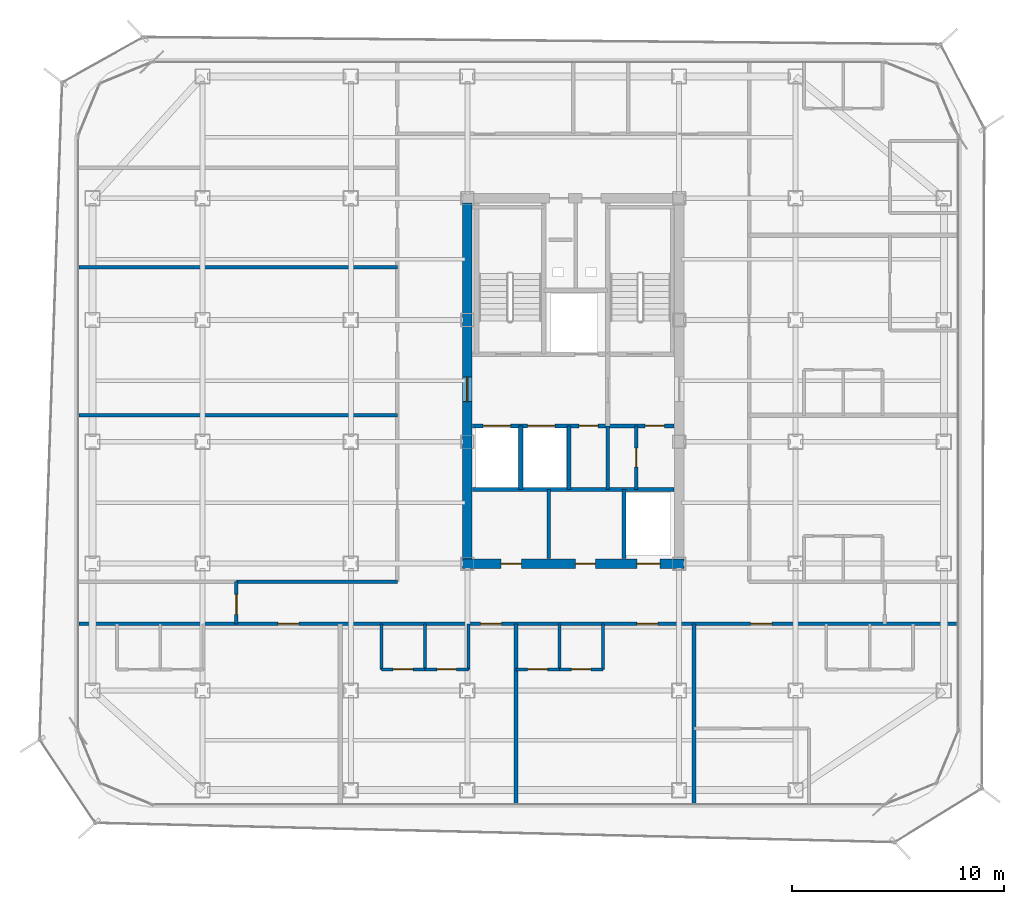
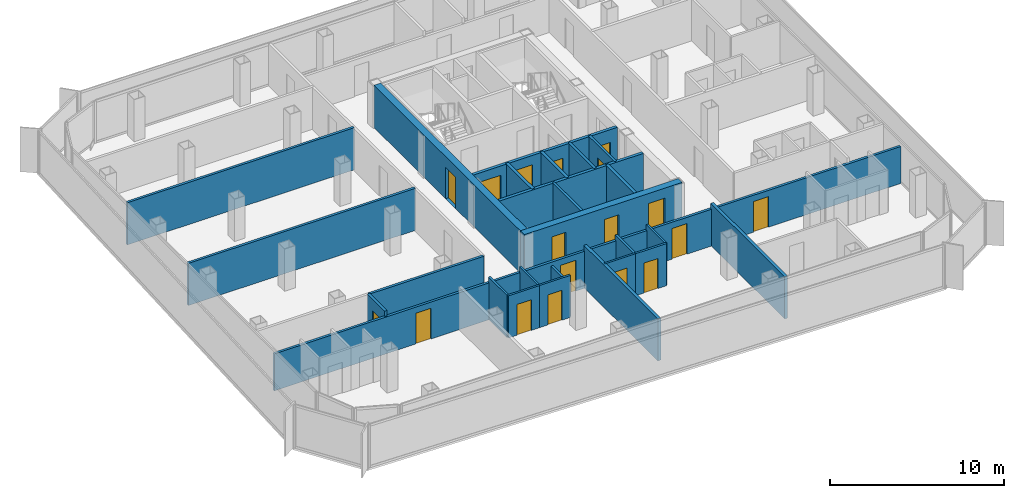
# One storey, part 10 of 15: 26 walls, 18 doors, 18 openings.
"""IFC4 building model written with IfcOpenShell, lengths in metres."""

from ifc_helpers import new_model, si_unit, direction, frame, frame_2d, origin, place, context, subcontext, project, spatial, rectangle, extrude, material, layer, layer_set, type_object, element, fill, save


model = new_model("IFC4")

# Units and contexts
model_context = context("Model", 3, precision=1e-05, world=origin(), true_north=direction((0.0, 1.0)))
body_context = subcontext(model_context, "Body", "Model", "MODEL_VIEW")
ifc_project = project(units=[si_unit("LENGTHUNIT", "METRE"), si_unit("AREAUNIT", "SQUARE_METRE"), si_unit("VOLUMEUNIT", "CUBIC_METRE"), si_unit("PLANEANGLEUNIT", "RADIAN"), si_unit("MASSUNIT", "GRAM", prefix="KILO")], contexts=[model_context])

# Site, building, storey
site_placement = place(None, origin())
site = spatial("IfcSite", under=ifc_project, at=site_placement, CompositionType="ELEMENT")
building_placement = place(site_placement, origin())
building = spatial("IfcBuilding", under=site, at=building_placement, Name="Kolveth Station Tower", CompositionType="ELEMENT")
storey_placement = place(building_placement, frame((0.0, 0.0, 165.699951171875)))
storey = spatial("IfcBuildingStorey", under=building, at=storey_placement, Name="L46", CompositionType="ELEMENT", Elevation=165.699951171875)

# Wall, openings, doors
ifc_material_1 = material(Name="Concrete C50/60", Category="concrete")
ifc_layer_1 = layer(ifc_material_1, 0.449951171875)
ifc_layer_set_1 = layer_set([ifc_layer_1], Name="Concrete C50/60")
wall_type_1 = type_object("IfcWallType", Name="Wall_CW-450", PredefinedType="SHEAR", material=ifc_layer_set_1)
wall_1_placement = place(storey_placement, frame((18.27490234375, 11.5, 0.0), z_axis=(0.0, 0.0, 1.0), x_axis=(1.0, 0.0, 0.0)))
wall_1 = element("IfcWall", 1, at=wall_1_placement, inside=storey, type_object=wall_type_1, Name="L46 Core RC Shear Wall S", PredefinedType="SHEAR", context=body_context, shape_type="SweptSolid", body=[
    extrude(rectangle(XDim=10.4501953125, YDim=0.449951171875, at=frame_2d((5.22509765625, 0.0))), origin(), (0.0, 0.0, 1.0), 2.949951171875),
])
opening_1_placement = place(wall_1_placement, frame((1.824951171875, 0.0, 0.0)))
opening_1 = element("IfcOpeningElement", 2, at=opening_1_placement, cuts=wall_1, Name="Opening ID1", PredefinedType="OPENING", context=body_context, shape_type="SweptSolid", body=[
    extrude(rectangle(XDim=0.949951171875, YDim=2.14990234375, at=frame_2d((0.47509765625, 1.074951171875))), frame((0.0, 0.23486328125, 0.0), z_axis=(0.0, -1.0, 0.0), x_axis=(1.0, 0.0, 0.0)), (0.0, 0.0, 1.0), 0.469970703125),
])
opening_2_placement = place(wall_1_placement, frame((5.324951171875, 0.0, 0.0)))
opening_2 = element("IfcOpeningElement", 3, at=opening_2_placement, cuts=wall_1, Name="Opening ID1", PredefinedType="OPENING", context=body_context, shape_type="SweptSolid", body=[
    extrude(rectangle(XDim=0.949951171875, YDim=2.14990234375, at=frame_2d((0.47509765625, 1.074951171875))), frame((0.0, 0.23486328125, 0.0), z_axis=(0.0, -1.0, 0.0), x_axis=(1.0, 0.0, 0.0)), (0.0, 0.0, 1.0), 0.469970703125),
])
opening_3_placement = place(wall_1_placement, frame((8.22509765625, 0.0, 0.0)))
opening_3 = element("IfcOpeningElement", 4, at=opening_3_placement, cuts=wall_1, Name="Opening LD1", PredefinedType="OPENING", context=body_context, shape_type="SweptSolid", body=[
    extrude(rectangle(XDim=1.10009765625, YDim=2.25, at=frame_2d((0.550048828125, 1.125))), frame((0.0, 0.23486328125, 0.0), z_axis=(0.0, -1.0, 0.0), x_axis=(1.0, 0.0, 0.0)), (0.0, 0.0, 1.0), 0.469970703125),
])
ifc_material_2 = material(Name="Acoustic hardwood leaf and aluminium frame", Category="wood")
door_type_1 = type_object("IfcDoorType", Name="Door_ID1", OperationType="NOTDEFINED", PredefinedType="DOOR", material=ifc_material_2)
door_1_placement = place(opening_1_placement, frame((0.949951171875, 0.0, 0.0), z_axis=(0.0, 0.0, 1.0), x_axis=(-1.0, 0.0, 0.0)))
door_1 = element("IfcDoor", 5, at=door_1_placement, inside=storey, type_object=door_type_1, Name="L46 Laundry Room Door", OperationType="SINGLE_SWING_RIGHT", OverallHeight=2.14990234375, OverallWidth=0.949951171875, PredefinedType="DOOR", context=body_context, shape_type="SweptSolid", body=[
    extrude(rectangle(XDim=0.949951171875, YDim=2.14990234375, at=frame_2d((0.47509765625, 1.074951171875))), frame((0.0, 0.02490234375, 0.0), z_axis=(0.0, -1.0, 0.0), x_axis=(1.0, 0.0, 0.0)), (0.0, 0.0, 1.0), 0.050048828125),
])
fill(opening_1, door_1)
door_2_placement = place(opening_2_placement, frame((0.949951171875, 0.0, 0.0), z_axis=(0.0, 0.0, 1.0), x_axis=(-1.0, 0.0, 0.0)))
door_2 = element("IfcDoor", 6, at=door_2_placement, inside=storey, type_object=door_type_1, Name="L46 Parcel Room Door", OperationType="SINGLE_SWING_LEFT", OverallHeight=2.14990234375, OverallWidth=0.949951171875, PredefinedType="DOOR", context=body_context, shape_type="SweptSolid", body=[
    extrude(rectangle(XDim=0.949951171875, YDim=2.14990234375, at=frame_2d((0.47509765625, 1.074951171875))), frame((0.0, 0.02490234375, 0.0), z_axis=(0.0, -1.0, 0.0), x_axis=(1.0, 0.0, 0.0)), (0.0, 0.0, 1.0), 0.050048828125),
])
fill(opening_2, door_2)
ifc_material_3 = material(Name="Brushed stainless steel sliding landing doors", Category="steel")
door_type_2 = type_object("IfcDoorType", Name="Door_LD1", OperationType="NOTDEFINED", PredefinedType="DOOR", material=ifc_material_3)
door_3_placement = place(opening_3_placement, frame((1.10009765625, 0.0, 0.0), z_axis=(0.0, 0.0, 1.0), x_axis=(-1.0, 0.0, 0.0)))
door_3 = element("IfcDoor", 7, at=door_3_placement, inside=storey, type_object=door_type_2, Name="L46 Lift PH1 Landing Door", OperationType="DOUBLE_DOOR_SLIDING", OverallHeight=2.25, OverallWidth=1.10009765625, PredefinedType="DOOR", context=body_context, shape_type="SweptSolid", body=[
    extrude(rectangle(XDim=1.10009765625, YDim=2.25, at=frame_2d((0.550048828125, 1.125))), frame((0.0, 0.02490234375, 0.0), z_axis=(0.0, -1.0, 0.0), x_axis=(1.0, 0.0, 0.0)), (0.0, 0.0, 1.0), 0.050048828125),
])
fill(opening_3, door_3)

# Wall, opening, door
wall_2_placement = place(storey_placement, frame((18.5, 11.72509765625, 0.0), z_axis=(0.0, 0.0, 1.0), x_axis=(0.0, 1.0, 0.0)))
wall_2 = element("IfcWall", 8, at=wall_2_placement, inside=storey, type_object=wall_type_1, Name="L46 Core RC Shear Wall W", PredefinedType="SHEAR", context=body_context, shape_type="SweptSolid", body=[
    extrude(rectangle(XDim=16.7998046875, YDim=0.449951171875, at=frame_2d((8.39990234375, 0.0))), origin(), (0.0, 0.0, 1.0), 2.949951171875),
])
opening_4_placement = place(wall_2_placement, frame((7.425048828125, 0.0, 0.0)))
opening_4 = element("IfcOpeningElement", 9, at=opening_4_placement, cuts=wall_2, Name="Opening FD1", PredefinedType="OPENING", context=body_context, shape_type="SweptSolid", body=[
    extrude(rectangle(XDim=1.14990234375, YDim=2.199951171875, at=frame_2d((0.574951171875, 1.10009765625))), frame((0.0, 0.23486328125, 0.0), z_axis=(0.0, -1.0, 0.0), x_axis=(1.0, 0.0, 0.0)), (0.0, 0.0, 1.0), 0.469970703125),
])
ifc_material_4 = material(Name="Fire-rated Steel S355 leaf and frame", Category="steel")
door_type_3 = type_object("IfcDoorType", Name="Door_FD1", OperationType="NOTDEFINED", PredefinedType="DOOR", material=ifc_material_4)
door_4_placement = place(opening_4_placement, frame((1.14990234375, 0.0, 0.0), z_axis=(0.0, 0.0, 1.0), x_axis=(-1.0, 0.0, 0.0)))
door_4 = element("IfcDoor", 10, at=door_4_placement, inside=storey, type_object=door_type_3, Name="L46 West Corridor to Firefighting Lobby Door", OperationType="SINGLE_SWING_RIGHT", OverallHeight=2.199951171875, OverallWidth=1.14990234375, PredefinedType="DOOR", context=body_context, shape_type="SweptSolid", body=[
    extrude(rectangle(XDim=1.14990234375, YDim=2.199951171875, at=frame_2d((0.574951171875, 1.10009765625))), frame((0.0, 0.02490234375, 0.0), z_axis=(0.0, -1.0, 0.0), x_axis=(1.0, 0.0, 0.0)), (0.0, 0.0, 1.0), 0.050048828125),
])
fill(opening_4, door_4)

ifc_material_5 = material(Name="Moisture-resistant gypsum partition")
ifc_layer_2 = layer(ifc_material_5, 0.135009765625)
ifc_layer_set_2 = layer_set([ifc_layer_2], Name="Moisture-resistant gypsum partition")
wall_type_2 = type_object("IfcWallType", Name="Wall_IW-135", PredefinedType="PARTITIONING", material=ifc_layer_set_2)
wall_3_placement = place(storey_placement, frame((14.449951171875, 6.5, 0.0), z_axis=(0.0, 0.0, 1.0), x_axis=(1.0, 0.0, 0.0)))
wall_3 = element("IfcWall", 11, at=wall_3_placement, inside=storey, type_object=wall_type_2, Name="L46 Partition Wall WL-L46-A2-IBHK", PredefinedType="PARTITIONING", context=body_context, shape_type="SweptSolid", body=[
    extrude(rectangle(XDim=2.050048828125, YDim=0.135009765625, at=frame_2d((1.02490234375, 0.0))), origin(), (0.0, 0.0, 1.0), 2.949951171875),
])
opening_5_placement = place(wall_3_placement, frame((0.544921875, 0.0, 0.0)))
opening_5 = element("IfcOpeningElement", 12, at=opening_5_placement, cuts=wall_3, Name="Opening ID1", PredefinedType="OPENING", context=body_context, shape_type="SweptSolid", body=[
    extrude(rectangle(XDim=0.949951171875, YDim=2.14990234375, at=frame_2d((0.47509765625, 1.074951171875))), frame((0.0, 0.077392578125, 0.0), z_axis=(0.0, -1.0, 0.0), x_axis=(1.0, 0.0, 0.0)), (0.0, 0.0, 1.0), 0.155029296875),
])
door_5_placement = place(opening_5_placement, origin())
door_5 = element("IfcDoor", 13, at=door_5_placement, inside=storey, type_object=door_type_1, Name="Flat L46-A2 Kitchen Door", OperationType="SINGLE_SWING_LEFT", OverallHeight=2.14990234375, OverallWidth=0.949951171875, PredefinedType="DOOR", context=body_context, shape_type="SweptSolid", body=[
    extrude(rectangle(XDim=0.949951171875, YDim=2.14990234375, at=frame_2d((0.47509765625, 1.074951171875))), frame((0.0, 0.02490234375, 0.0), z_axis=(0.0, -1.0, 0.0), x_axis=(1.0, 0.0, 0.0)), (0.0, 0.0, 1.0), 0.050048828125),
])
fill(opening_5, door_5)

wall_4_placement = place(storey_placement, frame((16.5, 6.5, 0.0), z_axis=(0.0, 0.0, 1.0), x_axis=(1.0, 0.0, 0.0)))
wall_4 = element("IfcWall", 14, at=wall_4_placement, inside=storey, type_object=wall_type_2, Name="L46 Partition Wall WL-L46-A2-IBHB", PredefinedType="PARTITIONING", context=body_context, shape_type="SweptSolid", body=[
    extrude(rectangle(XDim=2.050048828125, YDim=0.135009765625, at=frame_2d((1.02490234375, 0.0))), origin(), (0.0, 0.0, 1.0), 2.949951171875),
])
opening_6_placement = place(wall_4_placement, frame((0.56494140625, 0.0, 0.0)))
opening_6 = element("IfcOpeningElement", 15, at=opening_6_placement, cuts=wall_4, Name="Opening ID2", PredefinedType="OPENING", context=body_context, shape_type="SweptSolid", body=[
    extrude(rectangle(XDim=0.919921875, YDim=2.10009765625, at=frame_2d((0.4599609375, 1.050048828125))), frame((0.0, 0.077392578125, 0.0), z_axis=(0.0, -1.0, 0.0), x_axis=(1.0, 0.0, 0.0)), (0.0, 0.0, 1.0), 0.155029296875),
])
ifc_material_6 = material(Name="Moisture-resistant hardwood leaf", Category="wood")
door_type_4 = type_object("IfcDoorType", Name="Door_ID2", OperationType="NOTDEFINED", PredefinedType="DOOR", material=ifc_material_6)
door_6_placement = place(opening_6_placement, origin())
door_6 = element("IfcDoor", 16, at=door_6_placement, inside=storey, type_object=door_type_4, Name="Flat L46-A2 Bathroom Door", OperationType="SINGLE_SWING_RIGHT", OverallHeight=2.10009765625, OverallWidth=0.919921875, PredefinedType="DOOR", context=body_context, shape_type="SweptSolid", body=[
    extrude(rectangle(XDim=0.919921875, YDim=2.10009765625, at=frame_2d((0.4599609375, 1.050048828125))), frame((0.0, 0.02490234375, 0.0), z_axis=(0.0, -1.0, 0.0), x_axis=(1.0, 0.0, 0.0)), (0.0, 0.0, 1.0), 0.050048828125),
])
fill(opening_6, door_6)

# Walls
for number, where, z_axis, x_axis, name in (
    (17, (14.449951171875, 6.5, 0.0), (0.0, 0.0, 1.0), (0.0, 1.0, 0.0), "L46 Partition Wall WL-L46-A2-IBV0"),
    (18, (16.5, 6.5, 0.0), (0.0, 0.0, 1.0), (0.0, 1.0, 0.0), "L46 Partition Wall WL-L46-A2-IBV1"),
):
    element("IfcWall", number, at=place(storey_placement, frame(where, z_axis=z_axis, x_axis=x_axis)), inside=storey, type_object=wall_type_2, Name=name, PredefinedType="PARTITIONING", context=body_context, shape_type="SweptSolid", body=[
        extrude(rectangle(XDim=2.14990234375, YDim=0.135009765625, at=frame_2d((1.074951171875, 0.0))), origin(), (0.0, 0.0, 1.0), 2.949951171875),
    ])
wall_5_placement = place(storey_placement, frame((18.550048828125, 6.5, 0.0), z_axis=(0.0, 0.0, 1.0), x_axis=(0.0, 1.0, 0.0)))
element("IfcWall", 19, at=wall_5_placement, inside=storey, type_object=wall_type_2, Name="L46 Partition Wall WL-L46-A2-IBV2", PredefinedType="PARTITIONING", context=body_context, shape_type="SweptSolid", body=[
    extrude(rectangle(XDim=2.14990234375, YDim=0.135009765625, at=frame_2d((1.074951171875, 0.0))), origin(), (0.0, 0.0, 1.0), 2.322998046875),
])

# Wall, opening, door
wall_6_placement = place(storey_placement, frame((20.800048828125, 6.5, 0.0), z_axis=(0.0, 0.0, 1.0), x_axis=(1.0, 0.0, 0.0)))
wall_6 = element("IfcWall", 20, at=wall_6_placement, inside=storey, type_object=wall_type_2, Name="L46 Partition Wall WL-L46-A3-IBHK", PredefinedType="PARTITIONING", context=body_context, shape_type="SweptSolid", body=[
    extrude(rectangle(XDim=2.050048828125, YDim=0.135009765625, at=frame_2d((1.02490234375, 0.0))), origin(), (0.0, 0.0, 1.0), 2.949951171875),
])
opening_7_placement = place(wall_6_placement, frame((0.544921875, 0.0, 0.0)))
opening_7 = element("IfcOpeningElement", 21, at=opening_7_placement, cuts=wall_6, Name="Opening ID1", PredefinedType="OPENING", context=body_context, shape_type="SweptSolid", body=[
    extrude(rectangle(XDim=0.949951171875, YDim=2.14990234375, at=frame_2d((0.47509765625, 1.074951171875))), frame((0.0, 0.077392578125, 0.0), z_axis=(0.0, -1.0, 0.0), x_axis=(1.0, 0.0, 0.0)), (0.0, 0.0, 1.0), 0.155029296875),
])
door_7_placement = place(opening_7_placement, origin())
door_7 = element("IfcDoor", 22, at=door_7_placement, inside=storey, type_object=door_type_1, Name="Flat L46-A3 Kitchen Door", OperationType="SINGLE_SWING_LEFT", OverallHeight=2.14990234375, OverallWidth=0.949951171875, PredefinedType="DOOR", context=body_context, shape_type="SweptSolid", body=[
    extrude(rectangle(XDim=0.949951171875, YDim=2.14990234375, at=frame_2d((0.47509765625, 1.074951171875))), frame((0.0, 0.02490234375, 0.0), z_axis=(0.0, -1.0, 0.0), x_axis=(1.0, 0.0, 0.0)), (0.0, 0.0, 1.0), 0.050048828125),
])
fill(opening_7, door_7)

wall_7_placement = place(storey_placement, frame((22.85009765625, 6.5, 0.0), z_axis=(0.0, 0.0, 1.0), x_axis=(1.0, 0.0, 0.0)))
wall_7 = element("IfcWall", 23, at=wall_7_placement, inside=storey, type_object=wall_type_2, Name="L46 Partition Wall WL-L46-A3-IBHB", PredefinedType="PARTITIONING", context=body_context, shape_type="SweptSolid", body=[
    extrude(rectangle(XDim=2.0498046875, YDim=0.135009765625, at=frame_2d((1.02490234375, 0.0))), origin(), (0.0, 0.0, 1.0), 2.949951171875),
])
opening_8_placement = place(wall_7_placement, frame((0.56494140625, 0.0, 0.0)))
opening_8 = element("IfcOpeningElement", 24, at=opening_8_placement, cuts=wall_7, Name="Opening ID2", PredefinedType="OPENING", context=body_context, shape_type="SweptSolid", body=[
    extrude(rectangle(XDim=0.919921875, YDim=2.10009765625, at=frame_2d((0.4599609375, 1.050048828125))), frame((0.0, 0.077392578125, 0.0), z_axis=(0.0, -1.0, 0.0), x_axis=(1.0, 0.0, 0.0)), (0.0, 0.0, 1.0), 0.155029296875),
])
door_8_placement = place(opening_8_placement, origin())
door_8 = element("IfcDoor", 25, at=door_8_placement, inside=storey, type_object=door_type_4, Name="Flat L46-A3 Bathroom Door", OperationType="SINGLE_SWING_LEFT", OverallHeight=2.10009765625, OverallWidth=0.919921875, PredefinedType="DOOR", context=body_context, shape_type="SweptSolid", body=[
    extrude(rectangle(XDim=0.919921875, YDim=2.10009765625, at=frame_2d((0.4599609375, 1.050048828125))), frame((0.0, 0.02490234375, 0.0), z_axis=(0.0, -1.0, 0.0), x_axis=(1.0, 0.0, 0.0)), (0.0, 0.0, 1.0), 0.050048828125),
])
fill(opening_8, door_8)

# Walls
for number, where, z_axis, x_axis, name in (
    (26, (22.85009765625, 6.5, 0.0), (0.0, 0.0, 1.0), (0.0, 1.0, 0.0), "L46 Partition Wall WL-L46-A3-IBV1"),
    (27, (24.89990234375, 6.5, 0.0), (0.0, 0.0, 1.0), (0.0, 1.0, 0.0), "L46 Partition Wall WL-L46-A3-IBV2"),
):
    element("IfcWall", number, at=place(storey_placement, frame(where, z_axis=z_axis, x_axis=x_axis)), inside=storey, type_object=wall_type_2, Name=name, PredefinedType="PARTITIONING", context=body_context, shape_type="SweptSolid", body=[
        extrude(rectangle(XDim=2.14990234375, YDim=0.135009765625, at=frame_2d((1.074951171875, 0.0))), origin(), (0.0, 0.0, 1.0), 2.949951171875),
    ])
ifc_material_7 = material(Name="Acoustic double-stud gypsum partition")
ifc_layer_3 = layer(ifc_material_7, 0.1650390625)
ifc_layer_set_3 = layer_set([ifc_layer_3], Name="Acoustic double-stud gypsum partition")
wall_type_3 = type_object("IfcWallType", Name="Wall_IW-165", PredefinedType="PARTITIONING", material=ifc_layer_set_3)
wall_8_placement = place(storey_placement, frame((25.1298828125, 15.0, 0.0), z_axis=(0.0, 0.0, 1.0), x_axis=(0.0, 1.0, 0.0)))
element("IfcWall", 28, at=wall_8_placement, inside=storey, type_object=wall_type_3, Name="L46 Partition Wall WL-L46-CB-V3A", PredefinedType="PARTITIONING", context=body_context, shape_type="SweptSolid", body=[
    extrude(rectangle(XDim=3.0, YDim=0.1650390625, at=frame_2d((1.5, 0.0))), origin(), (0.0, 0.0, 1.0), 2.949951171875),
])

# Wall, opening, door
wall_9_placement = place(storey_placement, frame((26.47998046875, 15.0, 0.0), z_axis=(0.0, 0.0, 1.0), x_axis=(0.0, 1.0, 0.0)))
wall_9 = element("IfcWall", 29, at=wall_9_placement, inside=storey, type_object=wall_type_3, Name="L46 Partition Wall WL-L46-CB-V3B", PredefinedType="PARTITIONING", context=body_context, shape_type="SweptSolid", body=[
    extrude(rectangle(XDim=3.0, YDim=0.1650390625, at=frame_2d((1.5, 0.0))), origin(), (0.0, 0.0, 1.0), 2.949951171875),
])
opening_9_placement = place(wall_9_placement, frame((1.050048828125, 0.0, 0.0)))
opening_9 = element("IfcOpeningElement", 30, at=opening_9_placement, cuts=wall_9, Name="Opening RD1", PredefinedType="OPENING", context=body_context, shape_type="SweptSolid", body=[
    extrude(rectangle(XDim=0.89990234375, YDim=2.050048828125, at=frame_2d((0.449951171875, 1.02490234375))), frame((0.0, 0.092529296875, 0.0), z_axis=(0.0, -1.0, 0.0), x_axis=(1.0, 0.0, 0.0)), (0.0, 0.0, 1.0), 0.18505859375),
])
ifc_material_8 = material(Name="Fire-rated Steel S355 riser access leaf", Category="steel")
door_type_5 = type_object("IfcDoorType", Name="Door_RD1", OperationType="NOTDEFINED", PredefinedType="DOOR", material=ifc_material_8)
door_9_placement = place(opening_9_placement, origin())
door_9 = element("IfcDoor", 31, at=door_9_placement, inside=storey, type_object=door_type_5, Name="L46 Core Meter Closet Door", OperationType="SINGLE_SWING_RIGHT", OverallHeight=2.050048828125, OverallWidth=0.89990234375, PredefinedType="DOOR", context=body_context, shape_type="SweptSolid", body=[
    extrude(rectangle(XDim=0.89990234375, YDim=2.050048828125, at=frame_2d((0.449951171875, 1.02490234375))), frame((0.0, 0.02490234375, 0.0), z_axis=(0.0, -1.0, 0.0), x_axis=(1.0, 0.0, 0.0)), (0.0, 0.0, 1.0), 0.050048828125),
])
fill(opening_9, door_9)

# Wall
wall_10_placement = place(storey_placement, frame((22.35009765625, 11.735107421875, 0.0), z_axis=(0.0, 0.0, 1.0), x_axis=(0.0, 1.0, 0.0)))
element("IfcWall", 32, at=wall_10_placement, inside=storey, type_object=wall_type_3, Name="L46 Partition Wall WL-L46-FR-M", PredefinedType="PARTITIONING", context=body_context, shape_type="SweptSolid", body=[
    extrude(rectangle(XDim=3.264892578125, YDim=0.1650390625, at=frame_2d((1.63232421875, 0.0))), origin(), (0.0, 0.0, 1.0), 2.949951171875),
])

# Wall, openings, doors
wall_11_placement = place(storey_placement, frame((0.159912109375, 8.64990234375, 0.0), z_axis=(0.0, 0.0, 1.0), x_axis=(1.0, 0.0, 0.0)))
wall_11 = element("IfcWall", 33, at=wall_11_placement, inside=storey, type_object=wall_type_3, Name="L46 Partition Wall WL-L46-RS", PredefinedType="PARTITIONING", context=body_context, shape_type="SweptSolid", body=[
    extrude(rectangle(XDim=41.47998046875, YDim=0.1650390625, at=frame_2d((20.739990234375, 0.0))), origin(), (0.0, 0.0, 1.0), 2.5830078125),
])
opening_10_placement = place(wall_11_placement, frame((9.389892578125, 0.0, 0.0)))
opening_10 = element("IfcOpeningElement", 34, at=opening_10_placement, cuts=wall_11, Name="Opening FD3", PredefinedType="OPENING", context=body_context, shape_type="SweptSolid", body=[
    extrude(rectangle(XDim=1.0, YDim=2.14990234375, at=frame_2d((0.5, 1.074951171875))), frame((0.0, 0.092529296875, 0.0), z_axis=(0.0, -1.0, 0.0), x_axis=(1.0, 0.0, 0.0)), (0.0, 0.0, 1.0), 0.18505859375),
])
opening_11_placement = place(wall_11_placement, frame((18.965087890625, 0.0, 0.0)))
opening_11 = element("IfcOpeningElement", 35, at=opening_11_placement, cuts=wall_11, Name="Opening FD3", PredefinedType="OPENING", context=body_context, shape_type="SweptSolid", body=[
    extrude(rectangle(XDim=1.0, YDim=2.14990234375, at=frame_2d((0.5, 1.074951171875))), frame((0.0, 0.092529296875, 0.0), z_axis=(0.0, -1.0, 0.0), x_axis=(1.0, 0.0, 0.0)), (0.0, 0.0, 1.0), 0.18505859375),
])
opening_12_placement = place(wall_11_placement, frame((26.340087890625, 0.0, 0.0)))
opening_12 = element("IfcOpeningElement", 36, at=opening_12_placement, cuts=wall_11, Name="Opening FD3", PredefinedType="OPENING", context=body_context, shape_type="SweptSolid", body=[
    extrude(rectangle(XDim=1.0, YDim=2.14990234375, at=frame_2d((0.5, 1.074951171875))), frame((0.0, 0.092529296875, 0.0), z_axis=(0.0, -1.0, 0.0), x_axis=(1.0, 0.0, 0.0)), (0.0, 0.0, 1.0), 0.18505859375),
])
opening_13_placement = place(wall_11_placement, frame((31.715087890625, 0.0, 0.0)))
opening_13 = element("IfcOpeningElement", 37, at=opening_13_placement, cuts=wall_11, Name="Opening FD3", PredefinedType="OPENING", context=body_context, shape_type="SweptSolid", body=[
    extrude(rectangle(XDim=1.0, YDim=2.14990234375, at=frame_2d((0.5, 1.074951171875))), frame((0.0, 0.092529296875, 0.0), z_axis=(0.0, -1.0, 0.0), x_axis=(1.0, 0.0, 0.0)), (0.0, 0.0, 1.0), 0.18505859375),
])
ifc_material_9 = material(Name="Fire-rated hardwood leaf and aluminium frame", Category="wood")
door_type_6 = type_object("IfcDoorType", Name="Door_FD3", OperationType="NOTDEFINED", PredefinedType="DOOR", material=ifc_material_9)
door_10_placement = place(opening_10_placement, frame((1.0, 0.0, 0.0), z_axis=(0.0, 0.0, 1.0), x_axis=(-1.0, 0.0, 0.0)))
door_10 = element("IfcDoor", 38, at=door_10_placement, inside=storey, type_object=door_type_6, Name="Penthouse Flat L46-A1 Entrance Door", OperationType="SINGLE_SWING_RIGHT", OverallHeight=2.14990234375, OverallWidth=1.0, PredefinedType="DOOR", context=body_context, shape_type="SweptSolid", body=[
    extrude(rectangle(XDim=1.0, YDim=2.14990234375, at=frame_2d((0.5, 1.074951171875))), frame((0.0, 0.02490234375, 0.0), z_axis=(0.0, -1.0, 0.0), x_axis=(1.0, 0.0, 0.0)), (0.0, 0.0, 1.0), 0.050048828125),
])
fill(opening_10, door_10)
door_11_placement = place(opening_11_placement, frame((1.0, 0.0, 0.0), z_axis=(0.0, 0.0, 1.0), x_axis=(-1.0, 0.0, 0.0)))
door_11 = element("IfcDoor", 39, at=door_11_placement, inside=storey, type_object=door_type_6, Name="Flat L46-A2 Entrance Door", OperationType="SINGLE_SWING_LEFT", OverallHeight=2.14990234375, OverallWidth=1.0, PredefinedType="DOOR", context=body_context, shape_type="SweptSolid", body=[
    extrude(rectangle(XDim=1.0, YDim=2.14990234375, at=frame_2d((0.5, 1.074951171875))), frame((0.0, 0.02490234375, 0.0), z_axis=(0.0, -1.0, 0.0), x_axis=(1.0, 0.0, 0.0)), (0.0, 0.0, 1.0), 0.050048828125),
])
fill(opening_11, door_11)
door_12_placement = place(opening_12_placement, frame((1.0, 0.0, 0.0), z_axis=(0.0, 0.0, 1.0), x_axis=(-1.0, 0.0, 0.0)))
door_12 = element("IfcDoor", 40, at=door_12_placement, inside=storey, type_object=door_type_6, Name="Flat L46-A3 Entrance Door", OperationType="SINGLE_SWING_RIGHT", OverallHeight=2.14990234375, OverallWidth=1.0, PredefinedType="DOOR", context=body_context, shape_type="SweptSolid", body=[
    extrude(rectangle(XDim=1.0, YDim=2.14990234375, at=frame_2d((0.5, 1.074951171875))), frame((0.0, 0.02490234375, 0.0), z_axis=(0.0, -1.0, 0.0), x_axis=(1.0, 0.0, 0.0)), (0.0, 0.0, 1.0), 0.050048828125),
])
fill(opening_12, door_12)
door_13_placement = place(opening_13_placement, frame((1.0, 0.0, 0.0), z_axis=(0.0, 0.0, 1.0), x_axis=(-1.0, 0.0, 0.0)))
door_13 = element("IfcDoor", 41, at=door_13_placement, inside=storey, type_object=door_type_6, Name="Penthouse Flat L46-A4 Entrance Door", OperationType="SINGLE_SWING_RIGHT", OverallHeight=2.14990234375, OverallWidth=1.0, PredefinedType="DOOR", context=body_context, shape_type="SweptSolid", body=[
    extrude(rectangle(XDim=1.0, YDim=2.14990234375, at=frame_2d((0.5, 1.074951171875))), frame((0.0, 0.02490234375, 0.0), z_axis=(0.0, -1.0, 0.0), x_axis=(1.0, 0.0, 0.0)), (0.0, 0.0, 1.0), 0.050048828125),
])
fill(opening_13, door_13)

# Wall
wall_12_placement = place(storey_placement, frame((7.60009765625, 10.64990234375, 0.0), z_axis=(0.0, 0.0, 1.0), x_axis=(1.0, 0.0, 0.0)))
element("IfcWall", 42, at=wall_12_placement, inside=storey, type_object=wall_type_3, Name="L46 Partition Wall WL-L46-RSWT", PredefinedType="PARTITIONING", context=body_context, shape_type="SweptSolid", body=[
    extrude(rectangle(XDim=7.599853515625, YDim=0.1650390625, at=frame_2d((3.7998046875, 0.0))), origin(), (0.0, 0.0, 1.0), 2.949951171875),
])

# Wall, opening, door
wall_13_placement = place(storey_placement, frame((7.60009765625, 8.64990234375, 0.0), z_axis=(0.0, 0.0, 1.0), x_axis=(0.0, 1.0, 0.0)))
wall_13 = element("IfcWall", 43, at=wall_13_placement, inside=storey, type_object=wall_type_3, Name="L46 Partition Wall WL-L46-RSWE", PredefinedType="PARTITIONING", context=body_context, shape_type="SweptSolid", body=[
    extrude(rectangle(XDim=2.0, YDim=0.1650390625, at=frame_2d((1.0, 0.0))), origin(), (0.0, 0.0, 1.0), 2.949951171875),
])
opening_14_placement = place(wall_13_placement, frame((0.449951171875, 0.0, 0.0)))
opening_14 = element("IfcOpeningElement", 44, at=opening_14_placement, cuts=wall_13, Name="Opening ID1", PredefinedType="OPENING", context=body_context, shape_type="SweptSolid", body=[
    extrude(rectangle(XDim=0.949951171875, YDim=2.14990234375, at=frame_2d((0.47509765625, 1.074951171875))), frame((0.0, 0.092529296875, 0.0), z_axis=(0.0, -1.0, 0.0), x_axis=(1.0, 0.0, 0.0)), (0.0, 0.0, 1.0), 0.18505859375),
])
door_14_placement = place(opening_14_placement, frame((0.949951171875, 0.0, 0.0), z_axis=(0.0, 0.0, 1.0), x_axis=(-1.0, 0.0, 0.0)))
door_14 = element("IfcDoor", 45, at=door_14_placement, inside=storey, type_object=door_type_1, Name="L46 West Store Door", OperationType="SINGLE_SWING_LEFT", OverallHeight=2.14990234375, OverallWidth=0.949951171875, PredefinedType="DOOR", context=body_context, shape_type="SweptSolid", body=[
    extrude(rectangle(XDim=0.949951171875, YDim=2.14990234375, at=frame_2d((0.47509765625, 1.074951171875))), frame((0.0, 0.02490234375, 0.0), z_axis=(0.0, -1.0, 0.0), x_axis=(1.0, 0.0, 0.0)), (0.0, 0.0, 1.0), 0.050048828125),
])
fill(opening_14, door_14)

# Walls
for number, where, z_axis, x_axis, name in (
    (46, (0.159912109375, 18.5, 0.0), (0.0, 0.0, 1.0), (1.0, 0.0, 0.0), "L46 Partition Wall WL-L46-RWA-P1"),
    (47, (0.159912109375, 25.5, 0.0), (0.0, 0.0, 1.0), (1.0, 0.0, 0.0), "L46 Partition Wall WL-L46-RWA-P2"),
):
    element("IfcWall", number, at=place(storey_placement, frame(where, z_axis=z_axis, x_axis=x_axis)), inside=storey, type_object=wall_type_3, Name=name, PredefinedType="PARTITIONING", context=body_context, shape_type="SweptSolid", body=[
        extrude(rectangle(XDim=15.0400390625, YDim=0.1650390625, at=frame_2d((7.52001953125, 0.0))), origin(), (0.0, 0.0, 1.0), 2.949951171875),
    ])

# Wall, openings, doors
ifc_material_10 = material(Name="Acoustic fire-rated gypsum blockwork", Category="masonry")
ifc_layer_4 = layer(ifc_material_10, 0.199951171875)
ifc_layer_set_4 = layer_set([ifc_layer_4], Name="Acoustic fire-rated gypsum blockwork")
wall_type_4 = type_object("IfcWallType", Name="Wall_IW-200", PredefinedType="PARTITIONING", material=ifc_layer_set_4)
wall_14_placement = place(storey_placement, frame((18.735107421875, 18.0, 0.0), z_axis=(0.0, 0.0, 1.0), x_axis=(1.0, 0.0, 0.0)))
wall_14 = element("IfcWall", 48, at=wall_14_placement, inside=storey, type_object=wall_type_4, Name="L46 Partition Wall WL-L46-FFL-S", PredefinedType="PARTITIONING", context=body_context, shape_type="SweptSolid", body=[
    extrude(rectangle(XDim=9.52978515625, YDim=0.199951171875, at=frame_2d((4.764892578125, 0.0))), origin(), (0.0, 0.0, 1.0), 2.949951171875),
])
opening_15_placement = place(wall_14_placement, frame((0.514892578125, 0.0, 0.0)))
opening_15 = element("IfcOpeningElement", 49, at=opening_15_placement, cuts=wall_14, Name="Opening LD2", PredefinedType="OPENING", context=body_context, shape_type="SweptSolid", body=[
    extrude(rectangle(XDim=1.300048828125, YDim=2.300048828125, at=frame_2d((0.64990234375, 1.14990234375))), frame((0.0, 0.10986328125, 0.0), z_axis=(0.0, -1.0, 0.0), x_axis=(1.0, 0.0, 0.0)), (0.0, 0.0, 1.0), 0.219970703125),
])
opening_16_placement = place(wall_14_placement, frame((2.614990234375, 0.0, 0.0)))
opening_16 = element("IfcOpeningElement", 50, at=opening_16_placement, cuts=wall_14, Name="Opening LD2", PredefinedType="OPENING", context=body_context, shape_type="SweptSolid", body=[
    extrude(rectangle(XDim=1.300048828125, YDim=2.300048828125, at=frame_2d((0.64990234375, 1.14990234375))), frame((0.0, 0.10986328125, 0.0), z_axis=(0.0, -1.0, 0.0), x_axis=(1.0, 0.0, 0.0)), (0.0, 0.0, 1.0), 0.219970703125),
])
opening_17_placement = place(wall_14_placement, frame((5.034912109375, 0.0, 0.0)))
opening_17 = element("IfcOpeningElement", 51, at=opening_17_placement, cuts=wall_14, Name="Opening RD1", PredefinedType="OPENING", context=body_context, shape_type="SweptSolid", body=[
    extrude(rectangle(XDim=0.89990234375, YDim=2.050048828125, at=frame_2d((0.449951171875, 1.02490234375))), frame((0.0, 0.10986328125, 0.0), z_axis=(0.0, -1.0, 0.0), x_axis=(1.0, 0.0, 0.0)), (0.0, 0.0, 1.0), 0.219970703125),
])
opening_18_placement = place(wall_14_placement, frame((8.1650390625, 0.0, 0.0)))
opening_18 = element("IfcOpeningElement", 52, at=opening_18_placement, cuts=wall_14, Name="Opening RD1", PredefinedType="OPENING", context=body_context, shape_type="SweptSolid", body=[
    extrude(rectangle(XDim=0.89990234375, YDim=2.050048828125, at=frame_2d((0.449951171875, 1.02490234375))), frame((0.0, 0.10986328125, 0.0), z_axis=(0.0, -1.0, 0.0), x_axis=(1.0, 0.0, 0.0)), (0.0, 0.0, 1.0), 0.219970703125),
])
ifc_material_11 = material(Name="Firefighting stainless steel sliding landing doors", Category="steel")
door_type_7 = type_object("IfcDoorType", Name="Door_LD2", OperationType="NOTDEFINED", PredefinedType="DOOR", material=ifc_material_11)
door_15_placement = place(opening_15_placement, origin())
door_15 = element("IfcDoor", 53, at=door_15_placement, inside=storey, type_object=door_type_7, Name="L46 Firefighting Lift FF1 Landing Door", OperationType="DOUBLE_DOOR_SLIDING", OverallHeight=2.300048828125, OverallWidth=1.300048828125, PredefinedType="DOOR", context=body_context, shape_type="SweptSolid", body=[
    extrude(rectangle(XDim=1.300048828125, YDim=2.300048828125, at=frame_2d((0.64990234375, 1.14990234375))), frame((0.0, 0.02490234375, 0.0), z_axis=(0.0, -1.0, 0.0), x_axis=(1.0, 0.0, 0.0)), (0.0, 0.0, 1.0), 0.050048828125),
])
fill(opening_15, door_15)
door_16_placement = place(opening_16_placement, origin())
door_16 = element("IfcDoor", 54, at=door_16_placement, inside=storey, type_object=door_type_7, Name="L46 Firefighting Lift FF2 Landing Door", OperationType="DOUBLE_DOOR_SLIDING", OverallHeight=2.300048828125, OverallWidth=1.300048828125, PredefinedType="DOOR", context=body_context, shape_type="SweptSolid", body=[
    extrude(rectangle(XDim=1.300048828125, YDim=2.300048828125, at=frame_2d((0.64990234375, 1.14990234375))), frame((0.0, 0.02490234375, 0.0), z_axis=(0.0, -1.0, 0.0), x_axis=(1.0, 0.0, 0.0)), (0.0, 0.0, 1.0), 0.050048828125),
])
fill(opening_16, door_16)
door_17_placement = place(opening_17_placement, frame((0.89990234375, 0.0, 0.0), z_axis=(0.0, 0.0, 1.0), x_axis=(-1.0, 0.0, 0.0)))
door_17 = element("IfcDoor", 55, at=door_17_placement, inside=storey, type_object=door_type_5, Name="L46 Core Staff WC Door", OperationType="SINGLE_SWING_LEFT", OverallHeight=2.050048828125, OverallWidth=0.89990234375, PredefinedType="DOOR", context=body_context, shape_type="SweptSolid", body=[
    extrude(rectangle(XDim=0.89990234375, YDim=2.050048828125, at=frame_2d((0.449951171875, 1.02490234375))), frame((0.0, 0.02490234375, 0.0), z_axis=(0.0, -1.0, 0.0), x_axis=(1.0, 0.0, 0.0)), (0.0, 0.0, 1.0), 0.050048828125),
])
fill(opening_17, door_17)
door_18_placement = place(opening_18_placement, frame((0.89990234375, 0.0, 0.0), z_axis=(0.0, 0.0, 1.0), x_axis=(-1.0, 0.0, 0.0)))
door_18 = element("IfcDoor", 56, at=door_18_placement, inside=storey, type_object=door_type_5, Name="L46 Core Janitor Store Door", OperationType="SINGLE_SWING_LEFT", OverallHeight=2.050048828125, OverallWidth=0.89990234375, PredefinedType="DOOR", context=body_context, shape_type="SweptSolid", body=[
    extrude(rectangle(XDim=0.89990234375, YDim=2.050048828125, at=frame_2d((0.449951171875, 1.02490234375))), frame((0.0, 0.02490234375, 0.0), z_axis=(0.0, -1.0, 0.0), x_axis=(1.0, 0.0, 0.0)), (0.0, 0.0, 1.0), 0.050048828125),
])
fill(opening_18, door_18)

# Walls
for number, where, z_axis, x_axis, name in (
    (57, (21.02001953125, 15.0, 0.0), (0.0, 0.0, 1.0), (0.0, 1.0, 0.0), "L46 Partition Wall WL-L46-FF12"),
    (58, (23.300048828125, 15.0, 0.0), (0.0, 0.0, 1.0), (0.0, 1.0, 0.0), "L46 Partition Wall WL-L46-FF2E"),
):
    element("IfcWall", number, at=place(storey_placement, frame(where, z_axis=z_axis, x_axis=x_axis)), inside=storey, type_object=wall_type_4, Name=name, PredefinedType="PARTITIONING", context=body_context, shape_type="SweptSolid", body=[
        extrude(rectangle(XDim=3.0, YDim=0.199951171875, at=frame_2d((1.5, 0.0))), origin(), (0.0, 0.0, 1.0), 2.949951171875),
    ])
wall_15_placement = place(storey_placement, frame((18.735107421875, 15.0, 0.0), z_axis=(0.0, 0.0, 1.0), x_axis=(1.0, 0.0, 0.0)))
element("IfcWall", 59, at=wall_15_placement, inside=storey, type_object=wall_type_4, Name="L46 Partition Wall WL-L46-BOH-S", PredefinedType="PARTITIONING", context=body_context, shape_type="SweptSolid", body=[
    extrude(rectangle(XDim=9.52978515625, YDim=0.199951171875, at=frame_2d((4.764892578125, 0.0))), origin(), (0.0, 0.0, 1.0), 2.949951171875),
])
wall_16_placement = place(storey_placement, frame((25.89990234375, 11.735107421875, 0.0), z_axis=(0.0, 0.0, 1.0), x_axis=(0.0, 1.0, 0.0)))
element("IfcWall", 60, at=wall_16_placement, inside=storey, type_object=wall_type_4, Name="L46 Partition Wall WL-L46-PMPH", PredefinedType="PARTITIONING", context=body_context, shape_type="SweptSolid", body=[
    extrude(rectangle(XDim=3.264892578125, YDim=0.199951171875, at=frame_2d((1.63232421875, 0.0))), origin(), (0.0, 0.0, 1.0), 2.949951171875),
])
for number, where, z_axis, x_axis, name in (
    (61, (20.800048828125, 0.159912109375, 0.0), (0.0, 0.0, 1.0), (0.0, 1.0, 0.0), "L46 Partition Wall WL-L46-RSU-2"),
    (62, (29.199951171875, 0.159912109375, 0.0), (0.0, 0.0, 1.0), (0.0, 1.0, 0.0), "L46 Partition Wall WL-L46-RSU-3"),
):
    element("IfcWall", number, at=place(storey_placement, frame(where, z_axis=z_axis, x_axis=x_axis)), inside=storey, type_object=wall_type_4, Name=name, PredefinedType="PARTITIONING", context=body_context, shape_type="SweptSolid", body=[
        extrude(rectangle(XDim=8.489990234375, YDim=0.199951171875, at=frame_2d((4.2451171875, 0.0))), origin(), (0.0, 0.0, 1.0), 2.949951171875),
    ])

save(model, "model.ifc")
